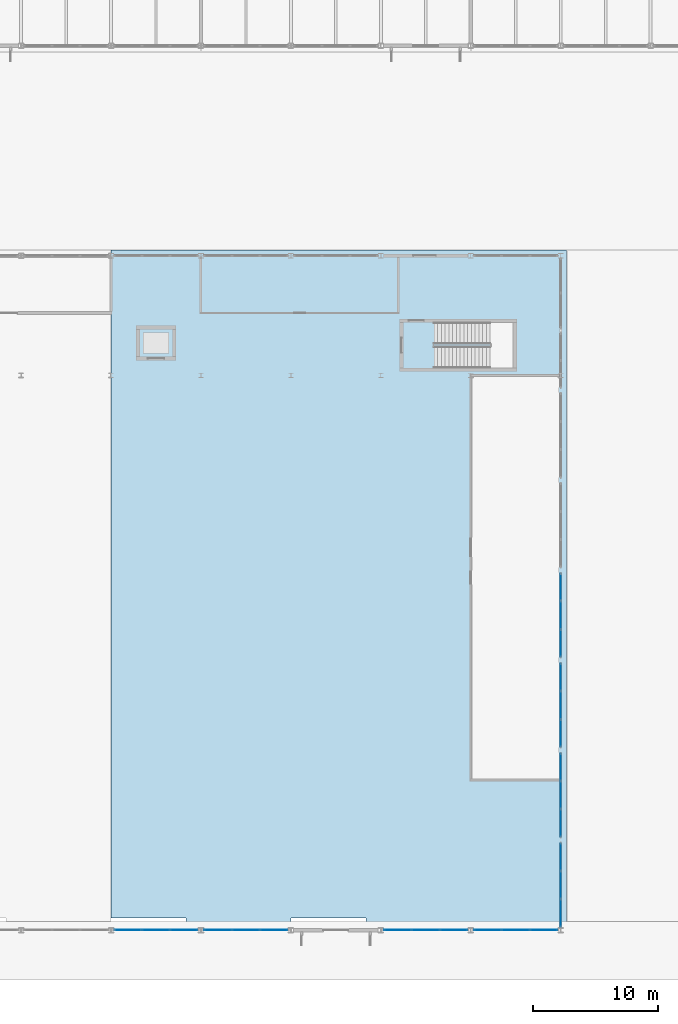
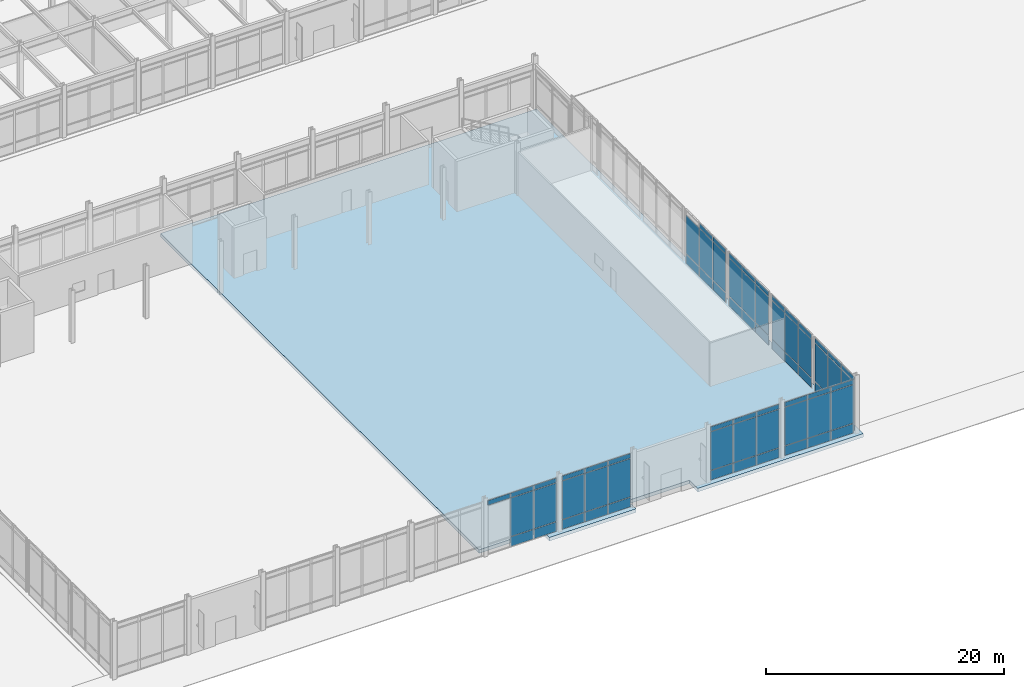
# One storey, part 59 of 104: 69 plates, 1 slab, 8 elements without a shape of their own.
"""IFC4 building model written with IfcOpenShell, lengths in metres."""

from ifc_helpers import new_model, si_unit, direction, frame, origin, origin_2d, place, context, subcontext, project, spatial, polyline, rectangle, outline, extrude, material, layer, layer_set, type_object, element, aggregate, save


model = new_model("IFC4")

# Units and contexts
model_context = context("Model", 3, precision=1e-05, world=origin(), true_north=direction((0.0, 1.0)))
body_context = subcontext(model_context, "Body", "Model", "MODEL_VIEW")
ifc_project = project(units=[si_unit("LENGTHUNIT", "METRE"), si_unit("AREAUNIT", "SQUARE_METRE"), si_unit("VOLUMEUNIT", "CUBIC_METRE"), si_unit("PLANEANGLEUNIT", "RADIAN"), si_unit("MASSUNIT", "GRAM", prefix="KILO")], contexts=[model_context])

# Site, building, storey
site_placement = place(None, origin())
site = spatial("IfcSite", under=ifc_project, at=site_placement, CompositionType="ELEMENT")
building_placement = place(site_placement, origin())
building = spatial("IfcBuilding", under=site, at=building_placement, Name="Vaelcorin Mobility Hub", CompositionType="ELEMENT")
storey_placement = place(building_placement, origin())
storey = spatial("IfcBuildingStorey", under=building, at=storey_placement, Name="L00", CompositionType="ELEMENT", Elevation=0.0)

# Curtain wall, plates
ifc_material_1 = material(Name="Anodised aluminium 6063-T6", Category="aluminium")
curtain_wall_type_1 = type_object("IfcCurtainWallType", Name="CW-CONC-A", PredefinedType="NOTDEFINED", material=ifc_material_1)
curtain_wall_1_placement = place(storey_placement, origin())
curtain_wall_1 = element("IfcCurtainWall", 1, at=curtain_wall_1_placement, inside=storey, type_object=curtain_wall_type_1, Name="L00 Curtain Wall CW-V1-S-06", PredefinedType="NOTDEFINED")
ifc_material_2 = material(Name="Low-E solar-control insulated glazing", Category="glass")
ifc_layer_1 = layer(ifc_material_2, 0.031982421875)
ifc_layer_set_1 = layer_set([ifc_layer_1], Name="Low-E solar-control insulated glazing")
plate_type = type_object("IfcPlateType", Name="CW-PAN-GLZ32", PredefinedType="CURTAIN_PANEL", material=ifc_layer_set_1)
plate_1_placement = place(storey_placement, frame((77.83837890625, 6.0, 0.06005859375), z_axis=(0.0, 0.0, 1.0), x_axis=(-1.0, 0.0, 0.0)))
plate_1 = element("IfcPlate", 2, at=plate_1_placement, type_object=plate_type, Name="CW1 panel 1.1", PredefinedType="CURTAIN_PANEL", context=body_context, shape_type="SweptSolid", body=[
    extrude(rectangle(XDim=2.163330078125, YDim=0.028076171875, at=origin_2d()), origin(), (0.0, 0.0, 1.0), 0.9599609375),
])
plate_2_placement = place(storey_placement, frame((77.83837890625, 6.0, 1.080078125), z_axis=(0.0, 0.0, 1.0), x_axis=(-1.0, 0.0, 0.0)))
plate_2 = element("IfcPlate", 3, at=plate_2_placement, type_object=plate_type, Name="CW1 panel 1.2", PredefinedType="CURTAIN_PANEL", context=body_context, shape_type="SweptSolid", body=[
    extrude(rectangle(XDim=2.163330078125, YDim=0.028076171875, at=origin_2d()), origin(), (0.0, 0.0, 1.0), 3.919921875),
])
plate_3_placement = place(storey_placement, frame((77.83837890625, 6.0, 5.06005859375), z_axis=(0.0, 0.0, 1.0), x_axis=(-1.0, 0.0, 0.0)))
plate_3 = element("IfcPlate", 4, at=plate_3_placement, type_object=plate_type, Name="CW1 panel 1.3", PredefinedType="CURTAIN_PANEL", context=body_context, shape_type="SweptSolid", body=[
    extrude(rectangle(XDim=2.163330078125, YDim=0.028076171875, at=origin_2d()), origin(), (0.0, 0.0, 1.0), 0.4599609375),
])
plate_4_placement = place(storey_placement, frame((75.60009765625, 6.0, 0.06005859375), z_axis=(0.0, 0.0, 1.0), x_axis=(-1.0, 0.0, 0.0)))
plate_4 = element("IfcPlate", 5, at=plate_4_placement, type_object=plate_type, Name="CW1 panel 2.1", PredefinedType="CURTAIN_PANEL", context=body_context, shape_type="SweptSolid", body=[
    extrude(rectangle(XDim=2.193359375, YDim=0.028076171875, at=origin_2d()), origin(), (0.0, 0.0, 1.0), 0.9599609375),
])
plate_5_placement = place(storey_placement, frame((75.60009765625, 6.0, 1.080078125), z_axis=(0.0, 0.0, 1.0), x_axis=(-1.0, 0.0, 0.0)))
plate_5 = element("IfcPlate", 6, at=plate_5_placement, type_object=plate_type, Name="CW1 panel 2.2", PredefinedType="CURTAIN_PANEL", context=body_context, shape_type="SweptSolid", body=[
    extrude(rectangle(XDim=2.193359375, YDim=0.028076171875, at=origin_2d()), origin(), (0.0, 0.0, 1.0), 3.919921875),
])
plate_6_placement = place(storey_placement, frame((75.60009765625, 6.0, 5.06005859375), z_axis=(0.0, 0.0, 1.0), x_axis=(-1.0, 0.0, 0.0)))
plate_6 = element("IfcPlate", 7, at=plate_6_placement, type_object=plate_type, Name="CW1 panel 2.3", PredefinedType="CURTAIN_PANEL", context=body_context, shape_type="SweptSolid", body=[
    extrude(rectangle(XDim=2.193359375, YDim=0.028076171875, at=origin_2d()), origin(), (0.0, 0.0, 1.0), 0.4599609375),
])
plate_7_placement = place(storey_placement, frame((73.361572265625, 6.0, 5.06005859375), z_axis=(0.0, 0.0, 1.0), x_axis=(-1.0, 0.0, 0.0)))
plate_7 = element("IfcPlate", 8, at=plate_7_placement, type_object=plate_type, Name="CW1 panel 3.3", PredefinedType="CURTAIN_PANEL", context=body_context, shape_type="SweptSolid", body=[
    extrude(rectangle(XDim=2.163330078125, YDim=0.028076171875, at=origin_2d()), origin(), (0.0, 0.0, 1.0), 0.4599609375),
])
aggregate(curtain_wall_1, [plate_1, plate_2, plate_3, plate_4, plate_5, plate_6, plate_7])

curtain_wall_2_placement = place(storey_placement, origin())
curtain_wall_2 = element("IfcCurtainWall", 9, at=curtain_wall_2_placement, inside=storey, type_object=curtain_wall_type_1, Name="L00 Curtain Wall CW-V1-S-07", PredefinedType="NOTDEFINED")
plate_8_placement = place(storey_placement, frame((85.038330078125, 6.0, 0.06005859375), z_axis=(0.0, 0.0, 1.0), x_axis=(-1.0, 0.0, 0.0)))
plate_8 = element("IfcPlate", 10, at=plate_8_placement, type_object=plate_type, Name="CW1 panel 1.1", PredefinedType="CURTAIN_PANEL", context=body_context, shape_type="SweptSolid", body=[
    extrude(rectangle(XDim=2.163330078125, YDim=0.028076171875, at=origin_2d()), origin(), (0.0, 0.0, 1.0), 0.9599609375),
])
plate_9_placement = place(storey_placement, frame((85.038330078125, 6.0, 1.080078125), z_axis=(0.0, 0.0, 1.0), x_axis=(-1.0, 0.0, 0.0)))
plate_9 = element("IfcPlate", 11, at=plate_9_placement, type_object=plate_type, Name="CW1 panel 1.2", PredefinedType="CURTAIN_PANEL", context=body_context, shape_type="SweptSolid", body=[
    extrude(rectangle(XDim=2.163330078125, YDim=0.028076171875, at=origin_2d()), origin(), (0.0, 0.0, 1.0), 3.919921875),
])
plate_10_placement = place(storey_placement, frame((85.038330078125, 6.0, 5.06005859375), z_axis=(0.0, 0.0, 1.0), x_axis=(-1.0, 0.0, 0.0)))
plate_10 = element("IfcPlate", 12, at=plate_10_placement, type_object=plate_type, Name="CW1 panel 1.3", PredefinedType="CURTAIN_PANEL", context=body_context, shape_type="SweptSolid", body=[
    extrude(rectangle(XDim=2.163330078125, YDim=0.028076171875, at=origin_2d()), origin(), (0.0, 0.0, 1.0), 0.4599609375),
])
plate_11_placement = place(storey_placement, frame((82.800048828125, 6.0, 0.06005859375), z_axis=(0.0, 0.0, 1.0), x_axis=(-1.0, 0.0, 0.0)))
plate_11 = element("IfcPlate", 13, at=plate_11_placement, type_object=plate_type, Name="CW1 panel 2.1", PredefinedType="CURTAIN_PANEL", context=body_context, shape_type="SweptSolid", body=[
    extrude(rectangle(XDim=2.193359375, YDim=0.028076171875, at=origin_2d()), origin(), (0.0, 0.0, 1.0), 0.9599609375),
])
plate_12_placement = place(storey_placement, frame((82.800048828125, 6.0, 1.080078125), z_axis=(0.0, 0.0, 1.0), x_axis=(-1.0, 0.0, 0.0)))
plate_12 = element("IfcPlate", 14, at=plate_12_placement, type_object=plate_type, Name="CW1 panel 2.2", PredefinedType="CURTAIN_PANEL", context=body_context, shape_type="SweptSolid", body=[
    extrude(rectangle(XDim=2.193359375, YDim=0.028076171875, at=origin_2d()), origin(), (0.0, 0.0, 1.0), 3.919921875),
])
plate_13_placement = place(storey_placement, frame((82.800048828125, 6.0, 5.06005859375), z_axis=(0.0, 0.0, 1.0), x_axis=(-1.0, 0.0, 0.0)))
plate_13 = element("IfcPlate", 15, at=plate_13_placement, type_object=plate_type, Name="CW1 panel 2.3", PredefinedType="CURTAIN_PANEL", context=body_context, shape_type="SweptSolid", body=[
    extrude(rectangle(XDim=2.193359375, YDim=0.028076171875, at=origin_2d()), origin(), (0.0, 0.0, 1.0), 0.4599609375),
])
plate_14_placement = place(storey_placement, frame((80.561767578125, 6.0, 0.06005859375), z_axis=(0.0, 0.0, 1.0), x_axis=(-1.0, 0.0, 0.0)))
plate_14 = element("IfcPlate", 16, at=plate_14_placement, type_object=plate_type, Name="CW1 panel 3.1", PredefinedType="CURTAIN_PANEL", context=body_context, shape_type="SweptSolid", body=[
    extrude(rectangle(XDim=2.163330078125, YDim=0.028076171875, at=origin_2d()), origin(), (0.0, 0.0, 1.0), 0.9599609375),
])
plate_15_placement = place(storey_placement, frame((80.561767578125, 6.0, 1.080078125), z_axis=(0.0, 0.0, 1.0), x_axis=(-1.0, 0.0, 0.0)))
plate_15 = element("IfcPlate", 17, at=plate_15_placement, type_object=plate_type, Name="CW1 panel 3.2", PredefinedType="CURTAIN_PANEL", context=body_context, shape_type="SweptSolid", body=[
    extrude(rectangle(XDim=2.163330078125, YDim=0.028076171875, at=origin_2d()), origin(), (0.0, 0.0, 1.0), 3.919921875),
])
plate_16_placement = place(storey_placement, frame((80.561767578125, 6.0, 5.06005859375), z_axis=(0.0, 0.0, 1.0), x_axis=(-1.0, 0.0, 0.0)))
plate_16 = element("IfcPlate", 18, at=plate_16_placement, type_object=plate_type, Name="CW1 panel 3.3", PredefinedType="CURTAIN_PANEL", context=body_context, shape_type="SweptSolid", body=[
    extrude(rectangle(XDim=2.163330078125, YDim=0.028076171875, at=origin_2d()), origin(), (0.0, 0.0, 1.0), 0.4599609375),
])
aggregate(curtain_wall_2, [plate_8, plate_9, plate_10, plate_11, plate_12, plate_13, plate_14, plate_15, plate_16])

curtain_wall_3_placement = place(storey_placement, origin())
curtain_wall_3 = element("IfcCurtainWall", 19, at=curtain_wall_3_placement, inside=storey, type_object=curtain_wall_type_1, Name="L00 Curtain Wall CW-V1-S-09", PredefinedType="NOTDEFINED")
plate_17_placement = place(storey_placement, frame((99.438232421875, 6.0, 0.06005859375), z_axis=(0.0, 0.0, 1.0), x_axis=(-1.0, 0.0, 0.0)))
plate_17 = element("IfcPlate", 20, at=plate_17_placement, type_object=plate_type, Name="CW1 panel 1.1", PredefinedType="CURTAIN_PANEL", context=body_context, shape_type="SweptSolid", body=[
    extrude(rectangle(XDim=2.163330078125, YDim=0.028076171875, at=origin_2d()), origin(), (0.0, 0.0, 1.0), 0.9599609375),
])
plate_18_placement = place(storey_placement, frame((99.438232421875, 6.0, 1.080078125), z_axis=(0.0, 0.0, 1.0), x_axis=(-1.0, 0.0, 0.0)))
plate_18 = element("IfcPlate", 21, at=plate_18_placement, type_object=plate_type, Name="CW1 panel 1.2", PredefinedType="CURTAIN_PANEL", context=body_context, shape_type="SweptSolid", body=[
    extrude(rectangle(XDim=2.163330078125, YDim=0.028076171875, at=origin_2d()), origin(), (0.0, 0.0, 1.0), 3.919921875),
])
plate_19_placement = place(storey_placement, frame((99.438232421875, 6.0, 5.06005859375), z_axis=(0.0, 0.0, 1.0), x_axis=(-1.0, 0.0, 0.0)))
plate_19 = element("IfcPlate", 22, at=plate_19_placement, type_object=plate_type, Name="CW1 panel 1.3", PredefinedType="CURTAIN_PANEL", context=body_context, shape_type="SweptSolid", body=[
    extrude(rectangle(XDim=2.163330078125, YDim=0.028076171875, at=origin_2d()), origin(), (0.0, 0.0, 1.0), 0.4599609375),
])
plate_20_placement = place(storey_placement, frame((97.199951171875, 6.0, 0.06005859375), z_axis=(0.0, 0.0, 1.0), x_axis=(-1.0, 0.0, 0.0)))
plate_20 = element("IfcPlate", 23, at=plate_20_placement, type_object=plate_type, Name="CW1 panel 2.1", PredefinedType="CURTAIN_PANEL", context=body_context, shape_type="SweptSolid", body=[
    extrude(rectangle(XDim=2.193359375, YDim=0.028076171875, at=origin_2d()), origin(), (0.0, 0.0, 1.0), 0.9599609375),
])
plate_21_placement = place(storey_placement, frame((97.199951171875, 6.0, 1.080078125), z_axis=(0.0, 0.0, 1.0), x_axis=(-1.0, 0.0, 0.0)))
plate_21 = element("IfcPlate", 24, at=plate_21_placement, type_object=plate_type, Name="CW1 panel 2.2", PredefinedType="CURTAIN_PANEL", context=body_context, shape_type="SweptSolid", body=[
    extrude(rectangle(XDim=2.193359375, YDim=0.028076171875, at=origin_2d()), origin(), (0.0, 0.0, 1.0), 3.919921875),
])
plate_22_placement = place(storey_placement, frame((97.199951171875, 6.0, 5.06005859375), z_axis=(0.0, 0.0, 1.0), x_axis=(-1.0, 0.0, 0.0)))
plate_22 = element("IfcPlate", 25, at=plate_22_placement, type_object=plate_type, Name="CW1 panel 2.3", PredefinedType="CURTAIN_PANEL", context=body_context, shape_type="SweptSolid", body=[
    extrude(rectangle(XDim=2.193359375, YDim=0.028076171875, at=origin_2d()), origin(), (0.0, 0.0, 1.0), 0.4599609375),
])
plate_23_placement = place(storey_placement, frame((94.961669921875, 6.0, 0.06005859375), z_axis=(0.0, 0.0, 1.0), x_axis=(-1.0, 0.0, 0.0)))
plate_23 = element("IfcPlate", 26, at=plate_23_placement, type_object=plate_type, Name="CW1 panel 3.1", PredefinedType="CURTAIN_PANEL", context=body_context, shape_type="SweptSolid", body=[
    extrude(rectangle(XDim=2.163330078125, YDim=0.028076171875, at=origin_2d()), origin(), (0.0, 0.0, 1.0), 0.9599609375),
])
plate_24_placement = place(storey_placement, frame((94.961669921875, 6.0, 1.080078125), z_axis=(0.0, 0.0, 1.0), x_axis=(-1.0, 0.0, 0.0)))
plate_24 = element("IfcPlate", 27, at=plate_24_placement, type_object=plate_type, Name="CW1 panel 3.2", PredefinedType="CURTAIN_PANEL", context=body_context, shape_type="SweptSolid", body=[
    extrude(rectangle(XDim=2.163330078125, YDim=0.028076171875, at=origin_2d()), origin(), (0.0, 0.0, 1.0), 3.919921875),
])
plate_25_placement = place(storey_placement, frame((94.961669921875, 6.0, 5.06005859375), z_axis=(0.0, 0.0, 1.0), x_axis=(-1.0, 0.0, 0.0)))
plate_25 = element("IfcPlate", 28, at=plate_25_placement, type_object=plate_type, Name="CW1 panel 3.3", PredefinedType="CURTAIN_PANEL", context=body_context, shape_type="SweptSolid", body=[
    extrude(rectangle(XDim=2.163330078125, YDim=0.028076171875, at=origin_2d()), origin(), (0.0, 0.0, 1.0), 0.4599609375),
])
aggregate(curtain_wall_3, [plate_17, plate_18, plate_19, plate_20, plate_21, plate_22, plate_23, plate_24, plate_25])

curtain_wall_4_placement = place(storey_placement, origin())
curtain_wall_4 = element("IfcCurtainWall", 29, at=curtain_wall_4_placement, inside=storey, type_object=curtain_wall_type_1, Name="L00 Curtain Wall CW-V1-S-10", PredefinedType="NOTDEFINED")
plate_26_placement = place(storey_placement, frame((106.638427734375, 6.0, 0.06005859375), z_axis=(0.0, 0.0, 1.0), x_axis=(-1.0, 0.0, 0.0)))
plate_26 = element("IfcPlate", 30, at=plate_26_placement, type_object=plate_type, Name="CW1 panel 1.1", PredefinedType="CURTAIN_PANEL", context=body_context, shape_type="SweptSolid", body=[
    extrude(rectangle(XDim=2.163330078125, YDim=0.028076171875, at=origin_2d()), origin(), (0.0, 0.0, 1.0), 0.9599609375),
])
plate_27_placement = place(storey_placement, frame((106.638427734375, 6.0, 1.080078125), z_axis=(0.0, 0.0, 1.0), x_axis=(-1.0, 0.0, 0.0)))
plate_27 = element("IfcPlate", 31, at=plate_27_placement, type_object=plate_type, Name="CW1 panel 1.2", PredefinedType="CURTAIN_PANEL", context=body_context, shape_type="SweptSolid", body=[
    extrude(rectangle(XDim=2.163330078125, YDim=0.028076171875, at=origin_2d()), origin(), (0.0, 0.0, 1.0), 3.919921875),
])
plate_28_placement = place(storey_placement, frame((106.638427734375, 6.0, 5.06005859375), z_axis=(0.0, 0.0, 1.0), x_axis=(-1.0, 0.0, 0.0)))
plate_28 = element("IfcPlate", 32, at=plate_28_placement, type_object=plate_type, Name="CW1 panel 1.3", PredefinedType="CURTAIN_PANEL", context=body_context, shape_type="SweptSolid", body=[
    extrude(rectangle(XDim=2.163330078125, YDim=0.028076171875, at=origin_2d()), origin(), (0.0, 0.0, 1.0), 0.4599609375),
])
plate_29_placement = place(storey_placement, frame((104.39990234375, 6.0, 0.06005859375), z_axis=(0.0, 0.0, 1.0), x_axis=(-1.0, 0.0, 0.0)))
plate_29 = element("IfcPlate", 33, at=plate_29_placement, type_object=plate_type, Name="CW1 panel 2.1", PredefinedType="CURTAIN_PANEL", context=body_context, shape_type="SweptSolid", body=[
    extrude(rectangle(XDim=2.193359375, YDim=0.028076171875, at=origin_2d()), origin(), (0.0, 0.0, 1.0), 0.9599609375),
])
plate_30_placement = place(storey_placement, frame((104.39990234375, 6.0, 1.080078125), z_axis=(0.0, 0.0, 1.0), x_axis=(-1.0, 0.0, 0.0)))
plate_30 = element("IfcPlate", 34, at=plate_30_placement, type_object=plate_type, Name="CW1 panel 2.2", PredefinedType="CURTAIN_PANEL", context=body_context, shape_type="SweptSolid", body=[
    extrude(rectangle(XDim=2.193359375, YDim=0.028076171875, at=origin_2d()), origin(), (0.0, 0.0, 1.0), 3.919921875),
])
plate_31_placement = place(storey_placement, frame((104.39990234375, 6.0, 5.06005859375), z_axis=(0.0, 0.0, 1.0), x_axis=(-1.0, 0.0, 0.0)))
plate_31 = element("IfcPlate", 35, at=plate_31_placement, type_object=plate_type, Name="CW1 panel 2.3", PredefinedType="CURTAIN_PANEL", context=body_context, shape_type="SweptSolid", body=[
    extrude(rectangle(XDim=2.193359375, YDim=0.028076171875, at=origin_2d()), origin(), (0.0, 0.0, 1.0), 0.4599609375),
])
plate_32_placement = place(storey_placement, frame((102.16162109375, 6.0, 0.06005859375), z_axis=(0.0, 0.0, 1.0), x_axis=(-1.0, 0.0, 0.0)))
plate_32 = element("IfcPlate", 36, at=plate_32_placement, type_object=plate_type, Name="CW1 panel 3.1", PredefinedType="CURTAIN_PANEL", context=body_context, shape_type="SweptSolid", body=[
    extrude(rectangle(XDim=2.163330078125, YDim=0.028076171875, at=origin_2d()), origin(), (0.0, 0.0, 1.0), 0.9599609375),
])
plate_33_placement = place(storey_placement, frame((102.16162109375, 6.0, 1.080078125), z_axis=(0.0, 0.0, 1.0), x_axis=(-1.0, 0.0, 0.0)))
plate_33 = element("IfcPlate", 37, at=plate_33_placement, type_object=plate_type, Name="CW1 panel 3.2", PredefinedType="CURTAIN_PANEL", context=body_context, shape_type="SweptSolid", body=[
    extrude(rectangle(XDim=2.163330078125, YDim=0.028076171875, at=origin_2d()), origin(), (0.0, 0.0, 1.0), 3.919921875),
])
plate_34_placement = place(storey_placement, frame((102.16162109375, 6.0, 5.06005859375), z_axis=(0.0, 0.0, 1.0), x_axis=(-1.0, 0.0, 0.0)))
plate_34 = element("IfcPlate", 38, at=plate_34_placement, type_object=plate_type, Name="CW1 panel 3.3", PredefinedType="CURTAIN_PANEL", context=body_context, shape_type="SweptSolid", body=[
    extrude(rectangle(XDim=2.163330078125, YDim=0.028076171875, at=origin_2d()), origin(), (0.0, 0.0, 1.0), 0.4599609375),
])
aggregate(curtain_wall_4, [plate_26, plate_27, plate_28, plate_29, plate_30, plate_31, plate_32, plate_33, plate_34])

curtain_wall_type_2 = type_object("IfcCurtainWallType", Name="CW-CONC-B", PredefinedType="NOTDEFINED", material=ifc_material_1)
curtain_wall_5_placement = place(storey_placement, origin())
curtain_wall_5 = element("IfcCurtainWall", 39, at=curtain_wall_5_placement, inside=storey, type_object=curtain_wall_type_2, Name="L00 Curtain Wall CW-V1-E-01", PredefinedType="NOTDEFINED")
plate_35_placement = place(storey_placement, frame((108.0, 11.83837890625, 0.06005859375), z_axis=(0.0, 0.0, 1.0), x_axis=(0.0, -1.0, 0.0)))
plate_35 = element("IfcPlate", 40, at=plate_35_placement, type_object=plate_type, Name="CW2 panel 1.1", PredefinedType="CURTAIN_PANEL", context=body_context, shape_type="SweptSolid", body=[
    extrude(rectangle(XDim=2.163330078125, YDim=0.028076171875, at=origin_2d()), origin(), (0.0, 0.0, 1.0), 0.9599609375),
])
plate_36_placement = place(storey_placement, frame((108.0, 11.83837890625, 1.080078125), z_axis=(0.0, 0.0, 1.0), x_axis=(0.0, -1.0, 0.0)))
plate_36 = element("IfcPlate", 41, at=plate_36_placement, type_object=plate_type, Name="CW2 panel 1.2", PredefinedType="CURTAIN_PANEL", context=body_context, shape_type="SweptSolid", body=[
    extrude(rectangle(XDim=2.163330078125, YDim=0.028076171875, at=origin_2d()), origin(), (0.0, 0.0, 1.0), 3.919921875),
])
plate_37_placement = place(storey_placement, frame((108.0, 11.83837890625, 5.06005859375), z_axis=(0.0, 0.0, 1.0), x_axis=(0.0, -1.0, 0.0)))
plate_37 = element("IfcPlate", 42, at=plate_37_placement, type_object=plate_type, Name="CW2 panel 1.3", PredefinedType="CURTAIN_PANEL", context=body_context, shape_type="SweptSolid", body=[
    extrude(rectangle(XDim=2.163330078125, YDim=0.028076171875, at=origin_2d()), origin(), (0.0, 0.0, 1.0), 0.4599609375),
])
plate_38_placement = place(storey_placement, frame((108.0, 9.60009765625, 0.06005859375), z_axis=(0.0, 0.0, 1.0), x_axis=(0.0, -1.0, 0.0)))
plate_38 = element("IfcPlate", 43, at=plate_38_placement, type_object=plate_type, Name="CW2 panel 2.1", PredefinedType="CURTAIN_PANEL", context=body_context, shape_type="SweptSolid", body=[
    extrude(rectangle(XDim=2.193359375, YDim=0.028076171875, at=origin_2d()), origin(), (0.0, 0.0, 1.0), 0.9599609375),
])
plate_39_placement = place(storey_placement, frame((108.0, 9.60009765625, 1.080078125), z_axis=(0.0, 0.0, 1.0), x_axis=(0.0, -1.0, 0.0)))
plate_39 = element("IfcPlate", 44, at=plate_39_placement, type_object=plate_type, Name="CW2 panel 2.2", PredefinedType="CURTAIN_PANEL", context=body_context, shape_type="SweptSolid", body=[
    extrude(rectangle(XDim=2.193359375, YDim=0.028076171875, at=origin_2d()), origin(), (0.0, 0.0, 1.0), 3.919921875),
])
plate_40_placement = place(storey_placement, frame((108.0, 9.60009765625, 5.06005859375), z_axis=(0.0, 0.0, 1.0), x_axis=(0.0, -1.0, 0.0)))
plate_40 = element("IfcPlate", 45, at=plate_40_placement, type_object=plate_type, Name="CW2 panel 2.3", PredefinedType="CURTAIN_PANEL", context=body_context, shape_type="SweptSolid", body=[
    extrude(rectangle(XDim=2.193359375, YDim=0.028076171875, at=origin_2d()), origin(), (0.0, 0.0, 1.0), 0.4599609375),
])
plate_41_placement = place(storey_placement, frame((108.0, 7.361572265625, 0.06005859375), z_axis=(0.0, 0.0, 1.0), x_axis=(0.0, -1.0, 0.0)))
plate_41 = element("IfcPlate", 46, at=plate_41_placement, type_object=plate_type, Name="CW2 panel 3.1", PredefinedType="CURTAIN_PANEL", context=body_context, shape_type="SweptSolid", body=[
    extrude(rectangle(XDim=2.163330078125, YDim=0.028076171875, at=origin_2d()), origin(), (0.0, 0.0, 1.0), 0.9599609375),
])
plate_42_placement = place(storey_placement, frame((108.0, 7.361572265625, 1.080078125), z_axis=(0.0, 0.0, 1.0), x_axis=(0.0, -1.0, 0.0)))
plate_42 = element("IfcPlate", 47, at=plate_42_placement, type_object=plate_type, Name="CW2 panel 3.2", PredefinedType="CURTAIN_PANEL", context=body_context, shape_type="SweptSolid", body=[
    extrude(rectangle(XDim=2.163330078125, YDim=0.028076171875, at=origin_2d()), origin(), (0.0, 0.0, 1.0), 3.919921875),
])
plate_43_placement = place(storey_placement, frame((108.0, 7.361572265625, 5.06005859375), z_axis=(0.0, 0.0, 1.0), x_axis=(0.0, -1.0, 0.0)))
plate_43 = element("IfcPlate", 48, at=plate_43_placement, type_object=plate_type, Name="CW2 panel 3.3", PredefinedType="CURTAIN_PANEL", context=body_context, shape_type="SweptSolid", body=[
    extrude(rectangle(XDim=2.163330078125, YDim=0.028076171875, at=origin_2d()), origin(), (0.0, 0.0, 1.0), 0.4599609375),
])
aggregate(curtain_wall_5, [plate_35, plate_36, plate_37, plate_38, plate_39, plate_40, plate_41, plate_42, plate_43])

curtain_wall_6_placement = place(storey_placement, origin())
curtain_wall_6 = element("IfcCurtainWall", 49, at=curtain_wall_6_placement, inside=storey, type_object=curtain_wall_type_2, Name="L00 Curtain Wall CW-V1-E-02", PredefinedType="NOTDEFINED")
plate_44_placement = place(storey_placement, frame((108.0, 19.038330078125, 0.06005859375), z_axis=(0.0, 0.0, 1.0), x_axis=(0.0, -1.0, 0.0)))
plate_44 = element("IfcPlate", 50, at=plate_44_placement, type_object=plate_type, Name="CW2 panel 1.1", PredefinedType="CURTAIN_PANEL", context=body_context, shape_type="SweptSolid", body=[
    extrude(rectangle(XDim=2.163330078125, YDim=0.028076171875, at=origin_2d()), origin(), (0.0, 0.0, 1.0), 0.9599609375),
])
plate_45_placement = place(storey_placement, frame((108.0, 19.038330078125, 1.080078125), z_axis=(0.0, 0.0, 1.0), x_axis=(0.0, -1.0, 0.0)))
plate_45 = element("IfcPlate", 51, at=plate_45_placement, type_object=plate_type, Name="CW2 panel 1.2", PredefinedType="CURTAIN_PANEL", context=body_context, shape_type="SweptSolid", body=[
    extrude(rectangle(XDim=2.163330078125, YDim=0.028076171875, at=origin_2d()), origin(), (0.0, 0.0, 1.0), 3.919921875),
])
plate_46_placement = place(storey_placement, frame((108.0, 19.038330078125, 5.06005859375), z_axis=(0.0, 0.0, 1.0), x_axis=(0.0, -1.0, 0.0)))
plate_46 = element("IfcPlate", 52, at=plate_46_placement, type_object=plate_type, Name="CW2 panel 1.3", PredefinedType="CURTAIN_PANEL", context=body_context, shape_type="SweptSolid", body=[
    extrude(rectangle(XDim=2.163330078125, YDim=0.028076171875, at=origin_2d()), origin(), (0.0, 0.0, 1.0), 0.4599609375),
])
plate_47_placement = place(storey_placement, frame((108.0, 16.800048828125, 0.06005859375), z_axis=(0.0, 0.0, 1.0), x_axis=(0.0, -1.0, 0.0)))
plate_47 = element("IfcPlate", 53, at=plate_47_placement, type_object=plate_type, Name="CW2 panel 2.1", PredefinedType="CURTAIN_PANEL", context=body_context, shape_type="SweptSolid", body=[
    extrude(rectangle(XDim=2.193359375, YDim=0.028076171875, at=origin_2d()), origin(), (0.0, 0.0, 1.0), 0.9599609375),
])
plate_48_placement = place(storey_placement, frame((108.0, 16.800048828125, 1.080078125), z_axis=(0.0, 0.0, 1.0), x_axis=(0.0, -1.0, 0.0)))
plate_48 = element("IfcPlate", 54, at=plate_48_placement, type_object=plate_type, Name="CW2 panel 2.2", PredefinedType="CURTAIN_PANEL", context=body_context, shape_type="SweptSolid", body=[
    extrude(rectangle(XDim=2.193359375, YDim=0.028076171875, at=origin_2d()), origin(), (0.0, 0.0, 1.0), 3.919921875),
])
plate_49_placement = place(storey_placement, frame((108.0, 16.800048828125, 5.06005859375), z_axis=(0.0, 0.0, 1.0), x_axis=(0.0, -1.0, 0.0)))
plate_49 = element("IfcPlate", 55, at=plate_49_placement, type_object=plate_type, Name="CW2 panel 2.3", PredefinedType="CURTAIN_PANEL", context=body_context, shape_type="SweptSolid", body=[
    extrude(rectangle(XDim=2.193359375, YDim=0.028076171875, at=origin_2d()), origin(), (0.0, 0.0, 1.0), 0.4599609375),
])
plate_50_placement = place(storey_placement, frame((108.0, 14.561767578125, 0.06005859375), z_axis=(0.0, 0.0, 1.0), x_axis=(0.0, -1.0, 0.0)))
plate_50 = element("IfcPlate", 56, at=plate_50_placement, type_object=plate_type, Name="CW2 panel 3.1", PredefinedType="CURTAIN_PANEL", context=body_context, shape_type="SweptSolid", body=[
    extrude(rectangle(XDim=2.163330078125, YDim=0.028076171875, at=origin_2d()), origin(), (0.0, 0.0, 1.0), 0.9599609375),
])
plate_51_placement = place(storey_placement, frame((108.0, 14.561767578125, 1.080078125), z_axis=(0.0, 0.0, 1.0), x_axis=(0.0, -1.0, 0.0)))
plate_51 = element("IfcPlate", 57, at=plate_51_placement, type_object=plate_type, Name="CW2 panel 3.2", PredefinedType="CURTAIN_PANEL", context=body_context, shape_type="SweptSolid", body=[
    extrude(rectangle(XDim=2.163330078125, YDim=0.028076171875, at=origin_2d()), origin(), (0.0, 0.0, 1.0), 3.919921875),
])
plate_52_placement = place(storey_placement, frame((108.0, 14.561767578125, 5.06005859375), z_axis=(0.0, 0.0, 1.0), x_axis=(0.0, -1.0, 0.0)))
plate_52 = element("IfcPlate", 58, at=plate_52_placement, type_object=plate_type, Name="CW2 panel 3.3", PredefinedType="CURTAIN_PANEL", context=body_context, shape_type="SweptSolid", body=[
    extrude(rectangle(XDim=2.163330078125, YDim=0.028076171875, at=origin_2d()), origin(), (0.0, 0.0, 1.0), 0.4599609375),
])
aggregate(curtain_wall_6, [plate_44, plate_45, plate_46, plate_47, plate_48, plate_49, plate_50, plate_51, plate_52])

curtain_wall_7_placement = place(storey_placement, origin())
curtain_wall_7 = element("IfcCurtainWall", 59, at=curtain_wall_7_placement, inside=storey, type_object=curtain_wall_type_2, Name="L00 Curtain Wall CW-V1-E-03", PredefinedType="NOTDEFINED")
plate_53_placement = place(storey_placement, frame((108.0, 26.23828125, 0.06005859375), z_axis=(0.0, 0.0, 1.0), x_axis=(0.0, -1.0, 0.0)))
plate_53 = element("IfcPlate", 60, at=plate_53_placement, type_object=plate_type, Name="CW2 panel 1.1", PredefinedType="CURTAIN_PANEL", context=body_context, shape_type="SweptSolid", body=[
    extrude(rectangle(XDim=2.163330078125, YDim=0.028076171875, at=origin_2d()), origin(), (0.0, 0.0, 1.0), 0.9599609375),
])
plate_54_placement = place(storey_placement, frame((108.0, 26.23828125, 1.080078125), z_axis=(0.0, 0.0, 1.0), x_axis=(0.0, -1.0, 0.0)))
plate_54 = element("IfcPlate", 61, at=plate_54_placement, type_object=plate_type, Name="CW2 panel 1.2", PredefinedType="CURTAIN_PANEL", context=body_context, shape_type="SweptSolid", body=[
    extrude(rectangle(XDim=2.163330078125, YDim=0.028076171875, at=origin_2d()), origin(), (0.0, 0.0, 1.0), 3.919921875),
])
plate_55_placement = place(storey_placement, frame((108.0, 26.23828125, 5.06005859375), z_axis=(0.0, 0.0, 1.0), x_axis=(0.0, -1.0, 0.0)))
plate_55 = element("IfcPlate", 62, at=plate_55_placement, type_object=plate_type, Name="CW2 panel 1.3", PredefinedType="CURTAIN_PANEL", context=body_context, shape_type="SweptSolid", body=[
    extrude(rectangle(XDim=2.163330078125, YDim=0.028076171875, at=origin_2d()), origin(), (0.0, 0.0, 1.0), 0.4599609375),
])
plate_56_placement = place(storey_placement, frame((108.0, 24.0, 0.06005859375), z_axis=(0.0, 0.0, 1.0), x_axis=(0.0, -1.0, 0.0)))
plate_56 = element("IfcPlate", 63, at=plate_56_placement, type_object=plate_type, Name="CW2 panel 2.1", PredefinedType="CURTAIN_PANEL", context=body_context, shape_type="SweptSolid", body=[
    extrude(rectangle(XDim=2.193359375, YDim=0.028076171875, at=origin_2d()), origin(), (0.0, 0.0, 1.0), 0.9599609375),
])
plate_57_placement = place(storey_placement, frame((108.0, 24.0, 1.080078125), z_axis=(0.0, 0.0, 1.0), x_axis=(0.0, -1.0, 0.0)))
plate_57 = element("IfcPlate", 64, at=plate_57_placement, type_object=plate_type, Name="CW2 panel 2.2", PredefinedType="CURTAIN_PANEL", context=body_context, shape_type="SweptSolid", body=[
    extrude(rectangle(XDim=2.193359375, YDim=0.028076171875, at=origin_2d()), origin(), (0.0, 0.0, 1.0), 3.919921875),
])
plate_58_placement = place(storey_placement, frame((108.0, 24.0, 5.06005859375), z_axis=(0.0, 0.0, 1.0), x_axis=(0.0, -1.0, 0.0)))
plate_58 = element("IfcPlate", 65, at=plate_58_placement, type_object=plate_type, Name="CW2 panel 2.3", PredefinedType="CURTAIN_PANEL", context=body_context, shape_type="SweptSolid", body=[
    extrude(rectangle(XDim=2.193359375, YDim=0.028076171875, at=origin_2d()), origin(), (0.0, 0.0, 1.0), 0.4599609375),
])
plate_59_placement = place(storey_placement, frame((108.0, 21.76171875, 0.06005859375), z_axis=(0.0, 0.0, 1.0), x_axis=(0.0, -1.0, 0.0)))
plate_59 = element("IfcPlate", 66, at=plate_59_placement, type_object=plate_type, Name="CW2 panel 3.1", PredefinedType="CURTAIN_PANEL", context=body_context, shape_type="SweptSolid", body=[
    extrude(rectangle(XDim=2.163330078125, YDim=0.028076171875, at=origin_2d()), origin(), (0.0, 0.0, 1.0), 0.9599609375),
])
plate_60_placement = place(storey_placement, frame((108.0, 21.76171875, 1.080078125), z_axis=(0.0, 0.0, 1.0), x_axis=(0.0, -1.0, 0.0)))
plate_60 = element("IfcPlate", 67, at=plate_60_placement, type_object=plate_type, Name="CW2 panel 3.2", PredefinedType="CURTAIN_PANEL", context=body_context, shape_type="SweptSolid", body=[
    extrude(rectangle(XDim=2.163330078125, YDim=0.028076171875, at=origin_2d()), origin(), (0.0, 0.0, 1.0), 3.919921875),
])
plate_61_placement = place(storey_placement, frame((108.0, 21.76171875, 5.06005859375), z_axis=(0.0, 0.0, 1.0), x_axis=(0.0, -1.0, 0.0)))
plate_61 = element("IfcPlate", 68, at=plate_61_placement, type_object=plate_type, Name="CW2 panel 3.3", PredefinedType="CURTAIN_PANEL", context=body_context, shape_type="SweptSolid", body=[
    extrude(rectangle(XDim=2.163330078125, YDim=0.028076171875, at=origin_2d()), origin(), (0.0, 0.0, 1.0), 0.4599609375),
])
aggregate(curtain_wall_7, [plate_53, plate_54, plate_55, plate_56, plate_57, plate_58, plate_59, plate_60, plate_61])

curtain_wall_8_placement = place(storey_placement, origin())
curtain_wall_8 = element("IfcCurtainWall", 69, at=curtain_wall_8_placement, inside=storey, type_object=curtain_wall_type_2, Name="L00 Curtain Wall CW-V1-E-04", PredefinedType="NOTDEFINED")
plate_62_placement = place(storey_placement, frame((108.0, 33.438232421875, 0.06005859375), z_axis=(0.0, 0.0, 1.0), x_axis=(0.0, -1.0, 0.0)))
plate_62 = element("IfcPlate", 70, at=plate_62_placement, type_object=plate_type, Name="CW2 panel 1.1", PredefinedType="CURTAIN_PANEL", context=body_context, shape_type="SweptSolid", body=[
    extrude(rectangle(XDim=2.163330078125, YDim=0.028076171875, at=origin_2d()), origin(), (0.0, 0.0, 1.0), 0.9599609375),
])
plate_63_placement = place(storey_placement, frame((108.0, 33.438232421875, 1.080078125), z_axis=(0.0, 0.0, 1.0), x_axis=(0.0, -1.0, 0.0)))
plate_63 = element("IfcPlate", 71, at=plate_63_placement, type_object=plate_type, Name="CW2 panel 1.2", PredefinedType="CURTAIN_PANEL", context=body_context, shape_type="SweptSolid", body=[
    extrude(rectangle(XDim=2.163330078125, YDim=0.028076171875, at=origin_2d()), origin(), (0.0, 0.0, 1.0), 3.919921875),
])
plate_64_placement = place(storey_placement, frame((108.0, 31.199951171875, 0.06005859375), z_axis=(0.0, 0.0, 1.0), x_axis=(0.0, -1.0, 0.0)))
plate_64 = element("IfcPlate", 72, at=plate_64_placement, type_object=plate_type, Name="CW2 panel 2.1", PredefinedType="CURTAIN_PANEL", context=body_context, shape_type="SweptSolid", body=[
    extrude(rectangle(XDim=2.193359375, YDim=0.028076171875, at=origin_2d()), origin(), (0.0, 0.0, 1.0), 0.9599609375),
])
plate_65_placement = place(storey_placement, frame((108.0, 31.199951171875, 1.080078125), z_axis=(0.0, 0.0, 1.0), x_axis=(0.0, -1.0, 0.0)))
plate_65 = element("IfcPlate", 73, at=plate_65_placement, type_object=plate_type, Name="CW2 panel 2.2", PredefinedType="CURTAIN_PANEL", context=body_context, shape_type="SweptSolid", body=[
    extrude(rectangle(XDim=2.193359375, YDim=0.028076171875, at=origin_2d()), origin(), (0.0, 0.0, 1.0), 3.919921875),
])
plate_66_placement = place(storey_placement, frame((108.0, 31.199951171875, 5.06005859375), z_axis=(0.0, 0.0, 1.0), x_axis=(0.0, -1.0, 0.0)))
plate_66 = element("IfcPlate", 74, at=plate_66_placement, type_object=plate_type, Name="CW2 panel 2.3", PredefinedType="CURTAIN_PANEL", context=body_context, shape_type="SweptSolid", body=[
    extrude(rectangle(XDim=2.193359375, YDim=0.028076171875, at=origin_2d()), origin(), (0.0, 0.0, 1.0), 0.4599609375),
])
plate_67_placement = place(storey_placement, frame((108.0, 28.961669921875, 0.06005859375), z_axis=(0.0, 0.0, 1.0), x_axis=(0.0, -1.0, 0.0)))
plate_67 = element("IfcPlate", 75, at=plate_67_placement, type_object=plate_type, Name="CW2 panel 3.1", PredefinedType="CURTAIN_PANEL", context=body_context, shape_type="SweptSolid", body=[
    extrude(rectangle(XDim=2.163330078125, YDim=0.028076171875, at=origin_2d()), origin(), (0.0, 0.0, 1.0), 0.9599609375),
])
plate_68_placement = place(storey_placement, frame((108.0, 28.961669921875, 1.080078125), z_axis=(0.0, 0.0, 1.0), x_axis=(0.0, -1.0, 0.0)))
plate_68 = element("IfcPlate", 76, at=plate_68_placement, type_object=plate_type, Name="CW2 panel 3.2", PredefinedType="CURTAIN_PANEL", context=body_context, shape_type="SweptSolid", body=[
    extrude(rectangle(XDim=2.163330078125, YDim=0.028076171875, at=origin_2d()), origin(), (0.0, 0.0, 1.0), 3.919921875),
])
plate_69_placement = place(storey_placement, frame((108.0, 28.961669921875, 5.06005859375), z_axis=(0.0, 0.0, 1.0), x_axis=(0.0, -1.0, 0.0)))
plate_69 = element("IfcPlate", 77, at=plate_69_placement, type_object=plate_type, Name="CW2 panel 3.3", PredefinedType="CURTAIN_PANEL", context=body_context, shape_type="SweptSolid", body=[
    extrude(rectangle(XDim=2.163330078125, YDim=0.028076171875, at=origin_2d()), origin(), (0.0, 0.0, 1.0), 0.4599609375),
])
aggregate(curtain_wall_8, [plate_62, plate_63, plate_64, plate_65, plate_66, plate_67, plate_68, plate_69])

# Slab
ifc_material_3 = material(Name="Concrete f'c 35 MPa", Category="concrete")
ifc_layer_2 = layer(ifc_material_3, 0.35009765625)
ifc_layer_set_2 = layer_set([ifc_layer_2], Name="Concrete f'c 35 MPa")
slab_type = type_object("IfcSlabType", Name="SLAB-CONC", PredefinedType="FLOOR", material=ifc_layer_set_2)
slab_placement = place(storey_placement, frame((0.0, 0.0, -0.35009765625)))
element("IfcSlab", 78, at=slab_placement, inside=storey, type_object=slab_type, Name="L00 Bus Concourse Deck SL-V1-L00-E-1", PredefinedType="FLOOR", context=body_context, shape_type="SweptSolid", body=[
    extrude(outline(polyline([(108.449951171875, 5.550048828125), (92.39990234375, 5.550048828125), (92.39990234375, 6.949951171875), (86.39990234375, 6.949951171875), (86.39990234375, 5.550048828125), (78.0, 5.550048828125), (78.0, 6.949951171875), (72.0, 6.949951171875), (72.0, 60.449951171875), (108.449951171875, 60.449951171875), (108.449951171875, 5.550048828125)])), origin(), (0.0, 0.0, 1.0), 0.35009765625),
])

save(model, "model.ifc")
